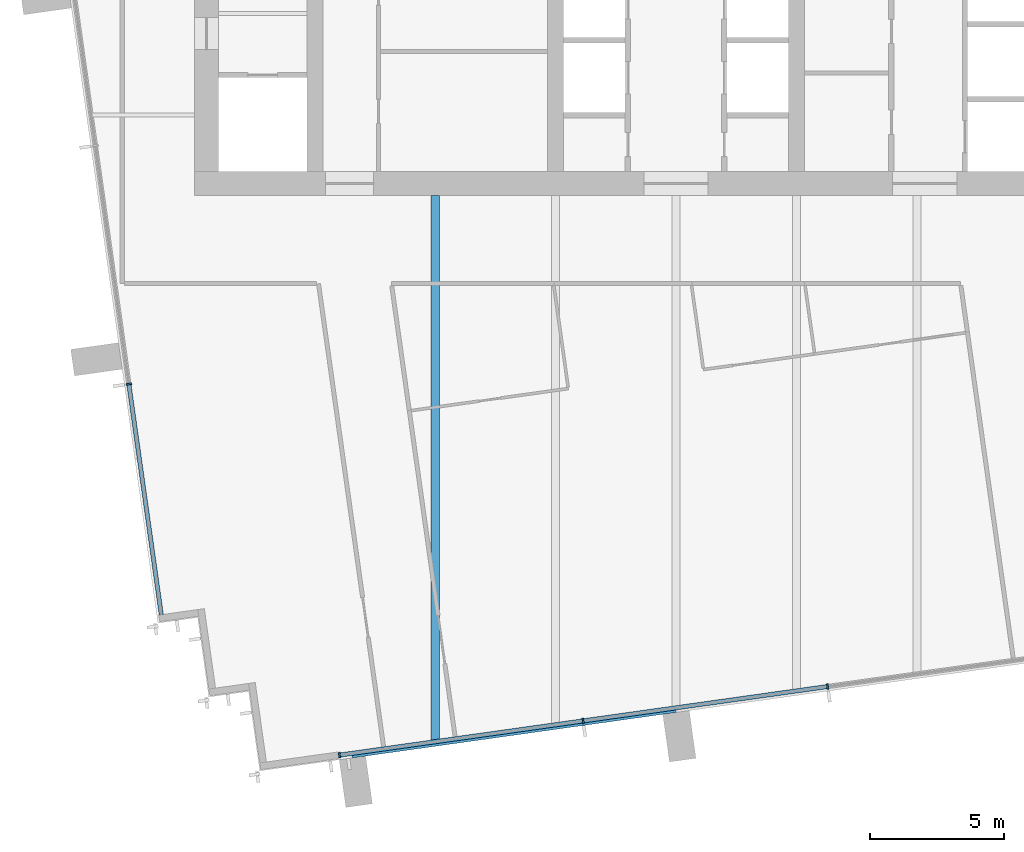
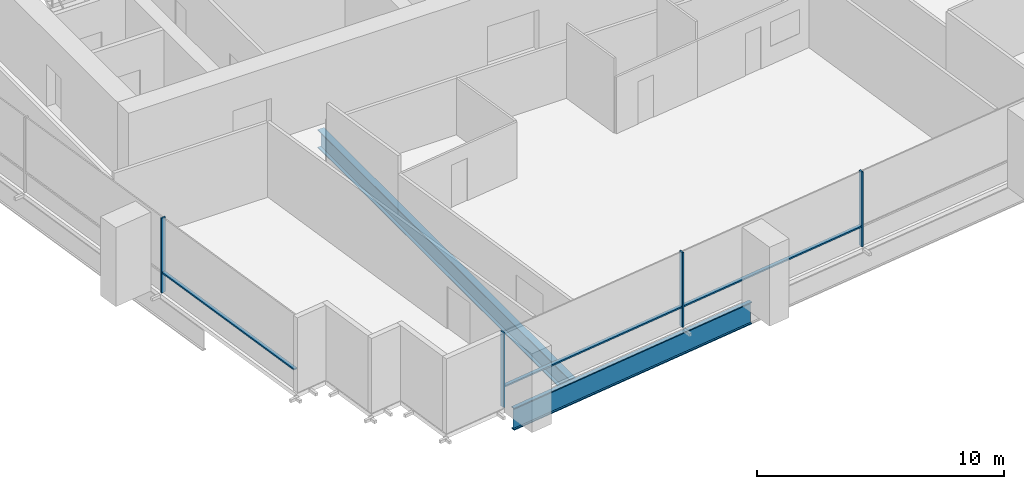
# One storey, part 2 of 13: 7 members, 2 beams, 2 elements without a shape of their own.
"""IFC4 building model written with IfcOpenShell, lengths in metres."""

from ifc_helpers import new_model, si_unit, direction, frame, origin, origin_2d, place, context, subcontext, project, spatial, rectangle, i_section, extrude, material, layer, layer_set, material_profile, profile_set, type_object, element, aggregate, save


model = new_model("IFC4")

# Units and contexts
model_context = context("Model", 3, precision=1e-05, world=origin(), true_north=direction((0.0, 1.0)))
body_context = subcontext(model_context, "Body", "Model", "MODEL_VIEW")
ifc_project = project(units=[si_unit("LENGTHUNIT", "METRE"), si_unit("AREAUNIT", "SQUARE_METRE"), si_unit("VOLUMEUNIT", "CUBIC_METRE"), si_unit("PLANEANGLEUNIT", "RADIAN"), si_unit("MASSUNIT", "GRAM", prefix="KILO")], contexts=[model_context])

# Site, building, storey
site_placement = place(None, origin())
site = spatial("IfcSite", under=ifc_project, at=site_placement, CompositionType="ELEMENT")
building_placement = place(site_placement, origin())
building = spatial("IfcBuilding", under=site, at=building_placement, Name="Rattan Terrace Tower", CompositionType="ELEMENT")
storey_placement = place(building_placement, frame((0.0, 0.0, 217.39990234375)))
storey = spatial("IfcBuildingStorey", under=building, at=storey_placement, Name="L49", CompositionType="ELEMENT", Elevation=217.39990234375)

# Beams
ifc_material_1 = material(Name="Steel S460", Category="steel")
ifc_material_profile_1 = material_profile(ifc_material_1, i_section(OverallWidth=0.179931640625, OverallDepth=1.10009765625, WebThickness=0.01611328125, FlangeThickness=0.050048828125, at=origin_2d()), Name="PG 1100x180-16-50")
ifc_profile_set_1 = profile_set([ifc_material_profile_1], Name="Steel S460")
beam_type_1 = type_object("IfcBeamType", Name="Frame edge girder PG 1100x180-16-50", PredefinedType="SPANDREL", material=ifc_profile_set_1)
beam_1_placement = place(storey_placement, frame((-12.10888671875, -28.43603515625, -0.75), z_axis=(0.990268332234, 0.139171226104, 0.0), x_axis=(-0.139171226104, 0.990268332234, 0.0)))
element("IfcBeam", 1, at=beam_1_placement, inside=storey, type_object=beam_type_1, Name="gdr-L49-001", PredefinedType="SPANDREL", context=body_context, shape_type="SweptSolid", body=[
    extrude(i_section(OverallWidth=0.179931640625, OverallDepth=1.10009765625, WebThickness=0.01611328125, FlangeThickness=0.050048828125, at=origin_2d()), origin(), (0.0, 0.0, 1.0), 12.21484375),
])
ifc_material_2 = material(Name="Steel S460", Category="steel")
ifc_material_profile_2 = material_profile(ifc_material_2, i_section(OverallWidth=0.300048828125, OverallDepth=0.89990234375, WebThickness=0.013916015625, FlangeThickness=0.035888671875, at=origin_2d()), Name="PG 900x300-14-36")
ifc_profile_set_2 = profile_set([ifc_material_profile_2], Name="Steel S460")
beam_type_2 = type_object("IfcBeamType", Name="Frame floor beam PG 900x300-14-36", PredefinedType="JOIST", material=ifc_profile_set_2)
beam_2_placement = place(storey_placement, frame((-9.0, -27.886962890625, -0.64990234375), z_axis=(0.0, 1.0, 0.0), x_axis=(-1.0, 0.0, 0.0)))
element("IfcBeam", 2, at=beam_2_placement, inside=storey, type_object=beam_type_2, Name="bm-L49-003", PredefinedType="JOIST", context=body_context, shape_type="SweptSolid", body=[
    extrude(i_section(OverallWidth=0.300048828125, OverallDepth=0.89990234375, WebThickness=0.013916015625, FlangeThickness=0.035888671875, at=origin_2d()), origin(), (0.0, 0.0, 1.0), 20.386962890625),
])

# Curtain wall, member
ifc_material_3 = material(Name="Aluminium and laminated glass", Category="aluminium")
ifc_layer = layer(ifc_material_3, 0.199951171875)
ifc_layer_set = layer_set([ifc_layer], Name="High-Zone Unitised Curtain Wall")
curtain_wall_type = type_object("IfcCurtainWallType", Name="High-Zone Unitised Curtain Wall", PredefinedType="NOTDEFINED", material=ifc_layer_set)
curtain_wall_1_placement = place(storey_placement, origin())
curtain_wall_1 = element("IfcCurtainWall", 3, at=curtain_wall_1_placement, inside=storey, type_object=curtain_wall_type, Name="High-zone curtain wall L49-3", PredefinedType="NOTDEFINED")
ifc_material_4 = material(Name="Aluminium", Category="aluminium")
ifc_material_profile_3 = material_profile(ifc_material_4, rectangle(XDim=0.070068359375, YDim=0.199951171875, at=origin_2d()), Name="Aluminium 70x200")
ifc_profile_set_3 = profile_set([ifc_material_profile_3], Name="Aluminium")
member_type_1 = type_object("IfcMemberType", Name="High-Zone CW Mullion 70x200", PredefinedType="MULLION", material=ifc_profile_set_3)
member_1_placement = place(storey_placement, frame((-20.452392578125, -14.551025390625, 0.0), z_axis=(0.0, 0.0, 1.0), x_axis=(0.139186165309, -0.990266232579, 0.0)))
member_1 = element("IfcMember", 4, at=member_1_placement, type_object=member_type_1, Name="Mullion cwl-L49-003.3", PredefinedType="MULLION", context=body_context, shape_type="SweptSolid", body=[
    extrude(rectangle(XDim=0.070068359375, YDim=0.199951171875, at=origin_2d()), origin(), (0.0, 0.0, 1.0), 3.7001953125),
])

# Curtain wall, members
curtain_wall_2_placement = place(storey_placement, origin())
curtain_wall_2 = element("IfcCurtainWall", 5, at=curtain_wall_2_placement, inside=storey, type_object=curtain_wall_type, Name="High-zone curtain wall L49-4", PredefinedType="NOTDEFINED")
member_2_placement = place(storey_placement, frame((-12.580078125, -28.4208984375, 0.0), z_axis=(0.0, 0.0, 1.0), x_axis=(0.990267457022, 0.139177453499, 0.0)))
member_2 = element("IfcMember", 6, at=member_2_placement, type_object=member_type_1, Name="Mullion cwl-L49-004.1", PredefinedType="MULLION", context=body_context, shape_type="SweptSolid", body=[
    extrude(rectangle(XDim=0.070068359375, YDim=0.199951171875, at=origin_2d()), origin(), (0.0, 0.0, 1.0), 3.7001953125),
])
member_3_placement = place(storey_placement, frame((-3.473388671875, -27.140869140625, 0.0), z_axis=(0.0, 0.0, 1.0), x_axis=(0.990267457022, 0.139177453499, 0.0)))
member_3 = element("IfcMember", 7, at=member_3_placement, type_object=member_type_1, Name="Mullion cwl-L49-004.2", PredefinedType="MULLION", context=body_context, shape_type="SweptSolid", body=[
    extrude(rectangle(XDim=0.070068359375, YDim=0.199951171875, at=origin_2d()), origin(), (0.0, 0.0, 1.0), 3.7001953125),
])
member_4_placement = place(storey_placement, frame((5.667724609375, -25.856201171875, 0.0), z_axis=(0.0, 0.0, 1.0), x_axis=(0.990267457022, 0.139177453499, 0.0)))
member_4 = element("IfcMember", 8, at=member_4_placement, type_object=member_type_1, Name="Mullion cwl-L49-004.3", PredefinedType="MULLION", context=body_context, shape_type="SweptSolid", body=[
    extrude(rectangle(XDim=0.070068359375, YDim=0.199951171875, at=origin_2d()), origin(), (0.0, 0.0, 1.0), 3.7001953125),
])

# Member
ifc_material_5 = material(Name="Aluminium", Category="aluminium")
ifc_material_profile_4 = material_profile(ifc_material_5, rectangle(XDim=0.159912109375, YDim=0.070068359375, at=origin_2d()), Name="Aluminium 160x70")
ifc_profile_set_4 = profile_set([ifc_material_profile_4], Name="Aluminium")
member_type_2 = type_object("IfcMemberType", Name="High-Zone CW Transom 160x70", PredefinedType="USERDEFINED", material=ifc_profile_set_4)
member_5_placement = place(storey_placement, frame((-20.447509765625, -14.585693359375, 1.0), z_axis=(0.139193563319, -0.990265192729, 0.0), x_axis=(0.990265192729, 0.139193563319, 0.0)))
member_5 = element("IfcMember", 9, at=member_5_placement, type_object=member_type_2, Name="Transom cwl-L49-003.3", ObjectType="TRANSOM", PredefinedType="USERDEFINED", context=body_context, shape_type="SweptSolid", body=[
    extrude(rectangle(XDim=0.159912109375, YDim=0.070068359375, at=origin_2d()), origin(), (0.0, 0.0, 1.0), 8.669921875),
])

aggregate(curtain_wall_1, [member_1, member_5])

member_6_placement = place(storey_placement, frame((-12.54541015625, -28.416015625, 1.0), z_axis=(0.990265856778, 0.139188838988, 0.0), x_axis=(-0.139188838988, 0.990265856778, 0.0)))
member_6 = element("IfcMember", 10, at=member_6_placement, type_object=member_type_2, Name="Transom cwl-L49-004.1", ObjectType="TRANSOM", PredefinedType="USERDEFINED", context=body_context, shape_type="SweptSolid", body=[
    extrude(rectangle(XDim=0.159912109375, YDim=0.070068359375, at=origin_2d()), origin(), (0.0, 0.0, 1.0), 9.126220703125),
])

member_7_placement = place(storey_placement, frame((-3.438720703125, -27.135986328125, 1.0), z_axis=(0.990268863305, 0.13916744723, 0.0), x_axis=(-0.13916744723, 0.990268863305, 0.0)))
member_7 = element("IfcMember", 11, at=member_7_placement, type_object=member_type_2, Name="Transom cwl-L49-004.2", ObjectType="TRANSOM", PredefinedType="USERDEFINED", context=body_context, shape_type="SweptSolid", body=[
    extrude(rectangle(XDim=0.159912109375, YDim=0.070068359375, at=origin_2d()), origin(), (0.0, 0.0, 1.0), 9.160888671875),
])

aggregate(curtain_wall_2, [member_2, member_3, member_4, member_6, member_7])

save(model, "model.ifc")
